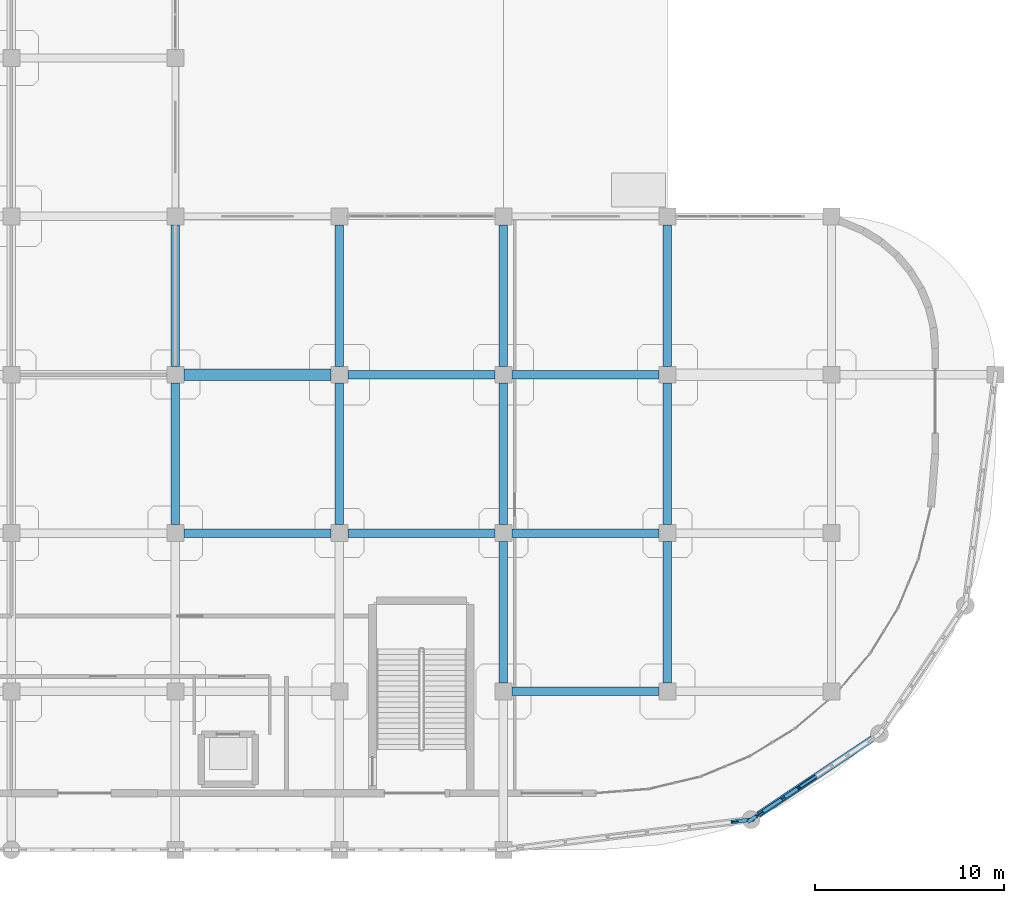
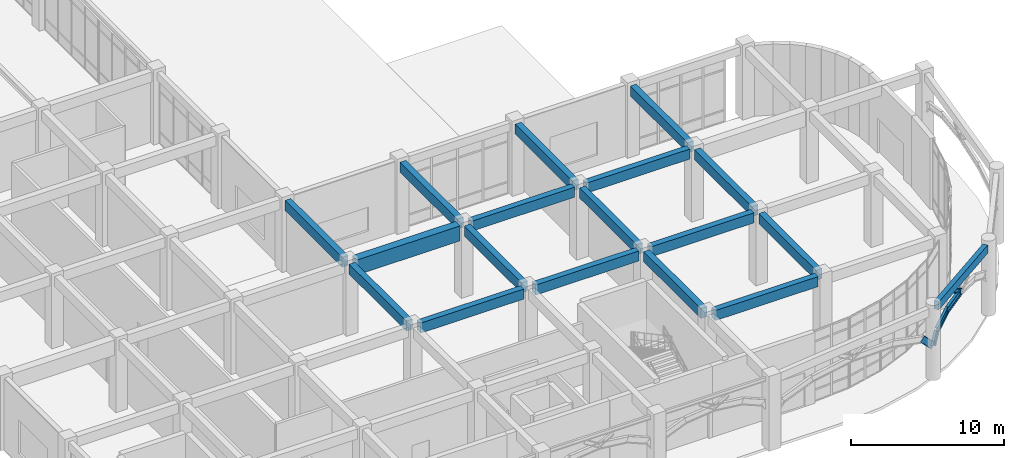
# One storey, part 28 of 82: 22 beams, 1 member.
"""IFC4 building model written with IfcOpenShell, lengths in metres."""

from ifc_helpers import new_model, si_unit, derived_unit, direction, frame, origin, origin_2d, place, context, subcontext, project, spatial, rectangle, i_section, extrude, material, material_profile, profile_set, type_object, element, save


model = new_model("IFC4")

# Units and contexts
model_context = context("Model", 3, precision=1e-05, world=origin(), true_north=direction((0.0, 1.0)))
body_context = subcontext(model_context, "Body", "Model", "MODEL_VIEW")
ifc_project = project(units=[si_unit("LENGTHUNIT", "METRE"), si_unit("AREAUNIT", "SQUARE_METRE"), si_unit("VOLUMEUNIT", "CUBIC_METRE"), si_unit("PLANEANGLEUNIT", "RADIAN"), si_unit("MASSUNIT", "GRAM", prefix="KILO"), derived_unit("THERMALTRANSMITTANCEUNIT", [(si_unit("MASSUNIT", "GRAM", prefix="KILO"), 1), (si_unit("TIMEUNIT", "SECOND"), -3), (si_unit("THERMODYNAMICTEMPERATUREUNIT", "KELVIN"), -1)])], contexts=[model_context])

# Site, building, storey
site_placement = place(None, origin())
site = spatial("IfcSite", under=ifc_project, at=site_placement, CompositionType="ELEMENT")
building_placement = place(site_placement, origin())
building = spatial("IfcBuilding", under=site, at=building_placement, Name="Qinzheling Arcade Emporium", CompositionType="ELEMENT")
storey_placement = place(building_placement, origin())
storey = spatial("IfcBuildingStorey", under=building, at=storey_placement, Name="L01", CompositionType="ELEMENT", Elevation=0.0)

# Beams
ifc_material_1 = material(Name="Weathering steel Q355NH", Category="steel")
ifc_material_profile_1 = material_profile(ifc_material_1, i_section(OverallWidth=0.199951171875, OverallDepth=0.5, WebThickness=0.010009765625, FlangeThickness=0.01611328125, FilletRadius=0.01806640625, at=origin_2d()), Name="HN 500x200x10x16", Category="steel")
ifc_profile_set_1 = profile_set([ifc_material_profile_1], Name="Weathering steel Q355NH")
beam_type_1 = type_object("IfcBeamType", Name="Arcade End Arch Rib HN500 Q355NH", PredefinedType="BEAM", material=ifc_profile_set_1)
beam_1_placement = place(storey_placement, frame((160.156005859375, 1.491943359375, 3.3720703125), z_axis=(0.691808665303, 0.084268591584, -0.717146829515), x_axis=(-0.120915365707, 0.992662820063, 0.0)))
element("IfcBeam", 1, at=beam_1_placement, inside=storey, type_object=beam_type_1, Name="Curved Arcade Entrance Arch ARC-L01-CV4-B01-C06", PredefinedType="BEAM", context=body_context, shape_type="SweptSolid", body=[
    extrude(i_section(OverallWidth=0.199951171875, OverallDepth=0.5, WebThickness=0.010009765625, FlangeThickness=0.01611328125, FilletRadius=0.01806640625, at=origin_2d()), origin(), (0.0, 0.0, 1.0), 1.27197265625),
])
beam_2_placement = place(storey_placement, frame((161.035888671875, 1.59912109375, 2.4599609375), z_axis=(0.428468305687, 0.286486570558, 0.856936611373), x_axis=(-0.555829349854, 0.831296417556, 0.0)))
element("IfcBeam", 2, at=beam_2_placement, inside=storey, type_object=beam_type_1, Name="Curved Arcade Entrance Arch ARC-L01-CV4-B02-C01", PredefinedType="BEAM", context=body_context, shape_type="SweptSolid", body=[
    extrude(i_section(OverallWidth=0.199951171875, OverallDepth=0.5, WebThickness=0.010009765625, FlangeThickness=0.01611328125, FilletRadius=0.01806640625, at=origin_2d()), origin(), (0.0, 0.0, 1.0), 1.064453125),
])
beam_3_placement = place(storey_placement, frame((161.491943359375, 1.904052734375, 3.3720703125), z_axis=(0.759608668611, 0.507397176449, 0.406869482639), x_axis=(-0.555451324547, 0.831549052106, 0.0)))
element("IfcBeam", 3, at=beam_3_placement, inside=storey, type_object=beam_type_1, Name="Curved Arcade Entrance Arch ARC-L01-CV4-B02-C02", PredefinedType="BEAM", context=body_context, shape_type="SweptSolid", body=[
    extrude(i_section(OverallWidth=0.199951171875, OverallDepth=0.5, WebThickness=0.010009765625, FlangeThickness=0.01611328125, FilletRadius=0.01806640625, at=origin_2d()), origin(), (0.0, 0.0, 1.0), 1.641845703125),
])
beam_4_placement = place(storey_placement, frame((162.739013671875, 2.737060546875, 4.0400390625), z_axis=(0.825564880254, 0.551678552955, 0.118715637978), x_axis=(-0.555607646808, 0.831444611991, 0.0)))
element("IfcBeam", 4, at=beam_4_placement, inside=storey, type_object=beam_type_1, Name="Curved Arcade Entrance Arch ARC-L01-CV4-B02-C03", PredefinedType="BEAM", context=body_context, shape_type="SweptSolid", body=[
    extrude(i_section(OverallWidth=0.199951171875, OverallDepth=0.5, WebThickness=0.010009765625, FlangeThickness=0.01611328125, FilletRadius=0.01806640625, at=origin_2d()), origin(), (0.0, 0.0, 1.0), 2.062744140625),
])

# Member
ifc_material_profile_2 = material_profile(ifc_material_1, i_section(OverallWidth=0.14990234375, OverallDepth=0.300048828125, WebThickness=0.006591796875, FlangeThickness=0.009033203125, FilletRadius=0.012939453125, at=origin_2d()), Name="HN 300x150x6.5x9", Category="steel")
ifc_profile_set_2 = profile_set([ifc_material_profile_2], Name="Weathering steel Q355NH")
member_type = type_object("IfcMemberType", Name="Arcade Spandrel Web Chord HN300 Q355NH", PredefinedType="CHORD", material=ifc_profile_set_2)
member_placement = place(storey_placement, frame((164.44189453125, 3.875, 4.294921875), z_axis=(-0.709934192444, -0.474216182254, 0.520684602123), x_axis=(0.555451450497, -0.831548967976, 0.0)))
element("IfcMember", 5, at=member_placement, inside=storey, type_object=member_type, Name="Arcade Spandrel Web Chord ASW-L01-CV4-B02-W1", PredefinedType="CHORD", context=body_context, shape_type="SweptSolid", body=[
    extrude(i_section(OverallWidth=0.14990234375, OverallDepth=0.300048828125, WebThickness=0.006591796875, FlangeThickness=0.009033203125, FilletRadius=0.012939453125, at=origin_2d()), origin(), (0.0, 0.0, 1.0), 1.2294921875),
])

# Beams
ifc_material_2 = material(Name="Concrete C40", Category="concrete")
ifc_material_profile_3 = material_profile(ifc_material_2, rectangle(XDim=0.449951171875, YDim=0.800048828125, at=origin_2d()), Name="RC 450x800", Category="concrete")
ifc_profile_set_3 = profile_set([ifc_material_profile_3], Name="Concrete C40")
beam_type_2 = type_object("IfcBeamType", Name="RC Primary Frame Beam 450x800 C40", PredefinedType="BEAM", material=ifc_profile_set_3)
beam_5_placement = place(storey_placement, frame((148.35009765625, 8.39990234375, 5.304931640625), z_axis=(1.0, 0.0, 0.0), x_axis=(0.0, 1.0, 0.0)))
element("IfcBeam", 6, at=beam_5_placement, inside=storey, type_object=beam_type_2, Name="Beam BM-L01-X-B-18", PredefinedType="BEAM", context=body_context, shape_type="SweptSolid", body=[
    extrude(rectangle(XDim=0.449951171875, YDim=0.800048828125, at=origin_2d()), origin(), (0.0, 0.0, 1.0), 7.7998046875),
])
for number, where, z_axis, x_axis, name in (
    (7, (130.949951171875, 16.800048828125, 5.304931640625), (1.0, 0.0, 0.0), (0.0, 1.0, 0.0), "Beam BM-L01-X-C-16"),
    (8, (139.64990234375, 16.800048828125, 5.304931640625), (1.0, 0.0, 0.0), (0.0, 1.0, 0.0), "Beam BM-L01-X-C-17"),
):
    element("IfcBeam", number, at=place(storey_placement, frame(where, z_axis=z_axis, x_axis=x_axis)), inside=storey, type_object=beam_type_2, Name=name, PredefinedType="BEAM", context=body_context, shape_type="SweptSolid", body=[
        extrude(rectangle(XDim=0.449951171875, YDim=0.800048828125, at=origin_2d()), origin(), (0.0, 0.0, 1.0), 7.800048828125),
    ])
beam_6_placement = place(storey_placement, frame((148.35009765625, 16.800048828125, 5.304931640625), z_axis=(1.0, 0.0, 0.0), x_axis=(0.0, 1.0, 0.0)))
element("IfcBeam", 9, at=beam_6_placement, inside=storey, type_object=beam_type_2, Name="Beam BM-L01-X-C-18", PredefinedType="BEAM", context=body_context, shape_type="SweptSolid", body=[
    extrude(rectangle(XDim=0.449951171875, YDim=0.800048828125, at=origin_2d()), origin(), (0.0, 0.0, 1.0), 7.7998046875),
])
beam_7_placement = place(storey_placement, frame((139.64990234375, 25.199951171875, 5.304931640625), z_axis=(1.0, 0.0, 0.0), x_axis=(0.0, 1.0, 0.0)))
element("IfcBeam", 10, at=beam_7_placement, inside=storey, type_object=beam_type_2, Name="Beam BM-L01-X-D-17", PredefinedType="BEAM", context=body_context, shape_type="SweptSolid", body=[
    extrude(rectangle(XDim=0.449951171875, YDim=0.800048828125, at=origin_2d()), origin(), (0.0, 0.0, 1.0), 7.800048828125),
])
beam_8_placement = place(storey_placement, frame((148.35009765625, 25.199951171875, 5.304931640625), z_axis=(1.0, 0.0, 0.0), x_axis=(0.0, 1.0, 0.0)))
element("IfcBeam", 11, at=beam_8_placement, inside=storey, type_object=beam_type_2, Name="Beam BM-L01-X-D-18", PredefinedType="BEAM", context=body_context, shape_type="SweptSolid", body=[
    extrude(rectangle(XDim=0.449951171875, YDim=0.800048828125, at=origin_2d()), origin(), (0.0, 0.0, 1.0), 7.7998046875),
])
for number, where, z_axis, x_axis, name in (
    (12, (130.5, 17.25, 5.304931640625), (0.0, 1.0, 0.0), (-1.0, 0.0, 0.0), "Beam BM-L01-Y-16-C"),
    (13, (130.5, 25.64990234375, 5.304931640625), (0.0, 1.0, 0.0), (-1.0, 0.0, 0.0), "Beam BM-L01-Y-16-D"),
    (14, (139.199951171875, 17.25, 5.304931640625), (0.0, 1.0, 0.0), (-1.0, 0.0, 0.0), "Beam BM-L01-Y-17-C"),
    (15, (139.199951171875, 25.64990234375, 5.304931640625), (0.0, 1.0, 0.0), (-1.0, 0.0, 0.0), "Beam BM-L01-Y-17-D"),
    (16, (147.89990234375, 8.85009765625, 5.304931640625), (0.0, 1.0, 0.0), (-1.0, 0.0, 0.0), "Beam BM-L01-Y-18-B"),
    (17, (147.89990234375, 17.25, 5.304931640625), (0.0, 1.0, 0.0), (-1.0, 0.0, 0.0), "Beam BM-L01-Y-18-C"),
    (18, (147.89990234375, 25.64990234375, 5.304931640625), (0.0, 1.0, 0.0), (-1.0, 0.0, 0.0), "Beam BM-L01-Y-18-D"),
    (19, (156.60009765625, 8.85009765625, 5.304931640625), (0.0, 1.0, 0.0), (-1.0, 0.0, 0.0), "Beam BM-L01-Y-19-B"),
    (20, (156.60009765625, 17.25, 5.304931640625), (0.0, 1.0, 0.0), (-1.0, 0.0, 0.0), "Beam BM-L01-Y-19-C"),
    (21, (156.60009765625, 25.64990234375, 5.304931640625), (0.0, 1.0, 0.0), (-1.0, 0.0, 0.0), "Beam BM-L01-Y-19-D"),
):
    element("IfcBeam", number, at=place(storey_placement, frame(where, z_axis=z_axis, x_axis=x_axis)), inside=storey, type_object=beam_type_2, Name=name, PredefinedType="BEAM", context=body_context, shape_type="SweptSolid", body=[
        extrude(rectangle(XDim=0.449951171875, YDim=0.800048828125, at=origin_2d()), origin(), (0.0, 0.0, 1.0), 7.5),
    ])
ifc_material_profile_4 = material_profile(ifc_material_2, rectangle(XDim=0.35009765625, YDim=0.64990234375, at=origin_2d()), Name="RC 350x650", Category="concrete")
ifc_profile_set_4 = profile_set([ifc_material_profile_4], Name="Concrete C40")
beam_type_3 = type_object("IfcBeamType", Name="RC Spandrel Edge Beam 350x650 C40", PredefinedType="SPANDREL", material=ifc_profile_set_4)
beam_9_placement = place(storey_placement, frame((161.427001953125, 1.860107421875, 5.3798828125), z_axis=(0.831469874952, 0.555569839937, 0.0), x_axis=(-0.555569839937, 0.831469874952, 0.0)))
element("IfcBeam", 22, at=beam_9_placement, inside=storey, type_object=beam_type_3, Name="Curved Arcade Spandrel BM-L01-CV4-B02", PredefinedType="SPANDREL", context=body_context, shape_type="SweptSolid", body=[
    extrude(rectangle(XDim=0.35009765625, YDim=0.64990234375, at=origin_2d()), origin(), (0.0, 0.0, 1.0), 7.25341796875),
])
ifc_material_profile_5 = material_profile(ifc_material_2, rectangle(XDim=0.60009765625, YDim=1.199951171875, at=origin_2d()), Name="RC 600x1200", Category="concrete")
ifc_profile_set_5 = profile_set([ifc_material_profile_5], Name="Concrete C40")
beam_type_4 = type_object("IfcBeamType", Name="RC Transfer Girder 600x1200 C40", PredefinedType="USERDEFINED", material=ifc_profile_set_5)
beam_10_placement = place(storey_placement, frame((130.949951171875, 25.199951171875, 5.10498046875), z_axis=(1.0, 0.0, 0.0), x_axis=(0.0, 1.0, 0.0)))
element("IfcBeam", 23, at=beam_10_placement, inside=storey, type_object=beam_type_4, Name="Beam BM-L01-X-D-16", ObjectType="TRANSFER_GIRDER", PredefinedType="USERDEFINED", context=body_context, shape_type="SweptSolid", body=[
    extrude(rectangle(XDim=0.60009765625, YDim=1.199951171875, at=origin_2d()), origin(), (0.0, 0.0, 1.0), 7.800048828125),
])

save(model, "model.ifc")
